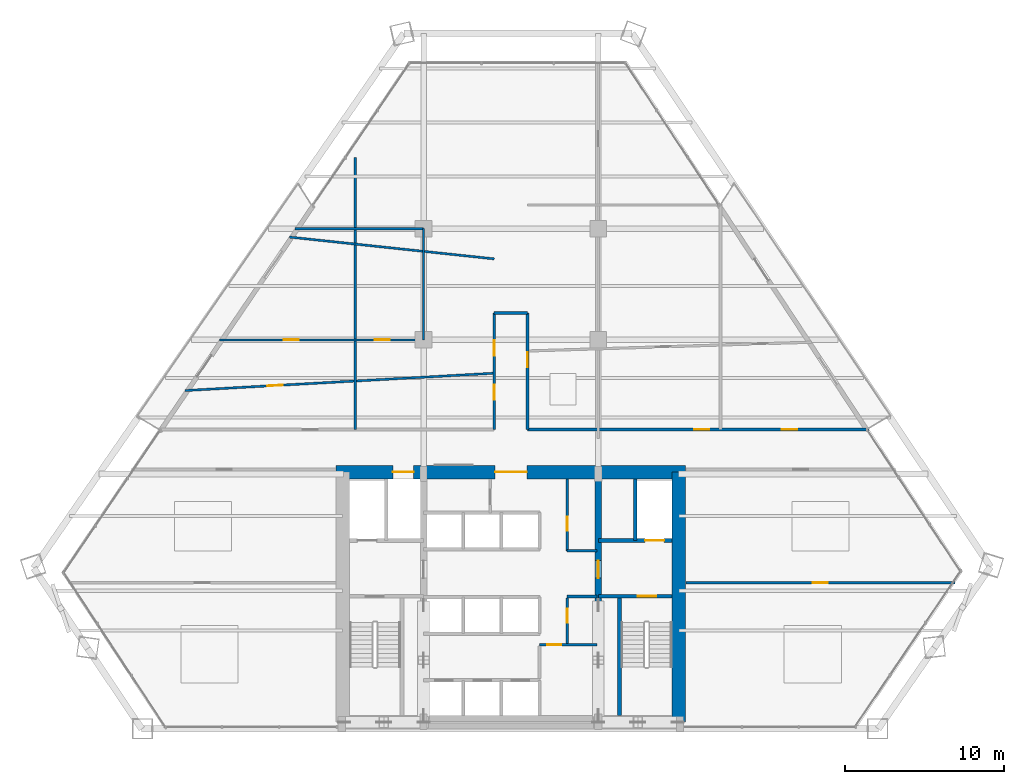
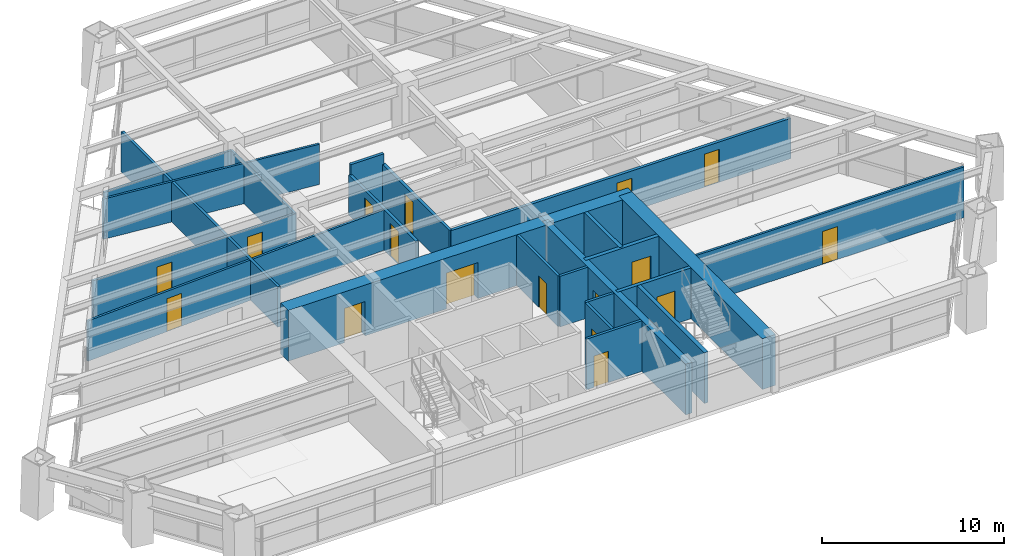
# One storey, part 11 of 14: 23 walls, 17 doors, 17 openings.
"""IFC4 building model written with IfcOpenShell, lengths in metres."""

from ifc_helpers import new_model, si_unit, direction, frame, frame_2d, origin, place, context, subcontext, project, spatial, rectangle, extrude, source, transform, mapped, material, layer, layer_set, type_object, type_shapes, element, fill, save


model = new_model("IFC4")

# Units and contexts
model_context = context("Model", 3, precision=1e-05, world=origin(), true_north=direction((0.0, 1.0)))
body_context = subcontext(model_context, "Body", "Model", "MODEL_VIEW")
ifc_project = project(units=[si_unit("LENGTHUNIT", "METRE"), si_unit("AREAUNIT", "SQUARE_METRE"), si_unit("VOLUMEUNIT", "CUBIC_METRE"), si_unit("PLANEANGLEUNIT", "RADIAN"), si_unit("MASSUNIT", "GRAM", prefix="KILO")], contexts=[model_context])

# Site, building, storey
site_placement = place(None, origin())
site = spatial("IfcSite", under=ifc_project, at=site_placement, CompositionType="ELEMENT")
building_placement = place(site_placement, origin())
building = spatial("IfcBuilding", under=site, at=building_placement, Name="Varnakhor Terracotta Tower", CompositionType="ELEMENT")
storey_placement = place(building_placement, frame((0.0, 0.0, 68.199951171875)))
storey = spatial("IfcBuildingStorey", under=building, at=storey_placement, Name="L16", CompositionType="ELEMENT", Elevation=68.199951171875)

# Wall, openings, doors
ifc_material_1 = material(Name="Concrete C60/75", Category="concrete")
ifc_layer_1 = layer(ifc_material_1, 0.85009765625, Name="Concrete C60/75")
ifc_layer_set_1 = layer_set([ifc_layer_1], Name="Concrete C60/75")
wall_type_1 = type_object("IfcWallType", Name="WAL-CORE-850", PredefinedType="SHEAR", material=ifc_layer_set_1)
wall_1_placement = place(storey_placement, frame((-11.0, 16.175048828125, 0.0), z_axis=(0.0, 0.0, 1.0), x_axis=(1.0, 0.0, 0.0)))
wall_1 = element("IfcWall", 1, at=wall_1_placement, inside=storey, type_object=wall_type_1, Name="L16 North Core Shear Wall", PredefinedType="SHEAR", context=body_context, shape_type="SweptSolid", body=[
    extrude(rectangle(XDim=22.0, YDim=0.85009765625, at=frame_2d((11.0, 0.0))), origin(), (0.0, 0.0, 1.0), 3.400146484375),
])
opening_1_placement = place(wall_1_placement, frame((3.570068359375, 0.0, 0.0)))
opening_1 = element("IfcOpeningElement", 2, at=opening_1_placement, cuts=wall_1, Name="Opening LD-03", PredefinedType="OPENING", context=body_context, shape_type="SweptSolid", body=[
    extrude(rectangle(XDim=1.300048828125, YDim=2.300048828125, at=frame_2d((0.64990234375, 1.14990234375))), frame((0.0, 0.43505859375, 0.0), z_axis=(0.0, -1.0, 0.0), x_axis=(1.0, 0.0, 0.0)), (0.0, 0.0, 1.0), 0.8701171875),
])
opening_2_placement = place(wall_1_placement, frame((10.0, 0.0, 0.0)))
opening_2 = element("IfcOpeningElement", 3, at=opening_2_placement, cuts=wall_1, Name="Opening DR-32", PredefinedType="OPENING", context=body_context, shape_type="SweptSolid", body=[
    extrude(rectangle(XDim=2.0, YDim=2.39990234375, at=frame_2d((1.0, 1.199951171875))), frame((0.0, 0.43505859375, 0.0), z_axis=(0.0, -1.0, 0.0), x_axis=(1.0, 0.0, 0.0)), (0.0, 0.0, 1.0), 0.8701171875),
])
ifc_material_2 = material(Name="Heavy-Duty Goods Sliding Lift Landing Door", Category="steel")
door_type_1 = type_object("IfcDoorType", Name="LD-SRV-1300X2300", OperationType="NOTDEFINED", PredefinedType="DOOR", material=ifc_material_2)
shared_shape_1 = source(origin(), body_context, "Body", "SweptSolid", [
    extrude(rectangle(XDim=1.300048828125, YDim=2.300048828125, at=frame_2d((0.64990234375, 1.14990234375))), frame((0.0, 0.02490234375, 0.0), z_axis=(0.0, -1.0, 0.0), x_axis=(1.0, 0.0, 0.0)), (0.0, 0.0, 1.0), 0.050048828125),
])
type_shapes(door_type_1, [shared_shape_1])
door_1_placement = place(opening_1_placement, origin())
door_1 = element("IfcDoor", 4, at=door_1_placement, inside=storey, type_object=door_type_1, Name="L16 Service Lift SVL-1 Landing Door", OperationType="SLIDING_TO_RIGHT", OverallHeight=2.300048828125, OverallWidth=1.300048828125, PredefinedType="DOOR", context=body_context, shape_type="MappedRepresentation", body=[
    mapped(shared_shape_1, transform((0.0, 0.0, 0.0), scale=1.0)),
])
fill(opening_1, door_1)
ifc_material_3 = material(Name="Acoustic Double Assembly Fire Door", Category="wood")
door_type_2 = type_object("IfcDoorType", Name="DR-HALL-2000X2400", OperationType="NOTDEFINED", PredefinedType="DOOR", material=ifc_material_3)
shared_shape_2 = source(origin(), body_context, "Body", "SweptSolid", [
    extrude(rectangle(XDim=2.0, YDim=2.39990234375, at=frame_2d((1.0, 1.199951171875))), frame((0.0, 0.02490234375, 0.0), z_axis=(0.0, -1.0, 0.0), x_axis=(1.0, 0.0, 0.0)), (0.0, 0.0, 1.0), 0.050048828125),
])
type_shapes(door_type_2, [shared_shape_2])
door_2_placement = place(opening_2_placement, origin())
door_2 = element("IfcDoor", 5, at=door_2_placement, inside=storey, type_object=door_type_2, Name="L16 Core Main Lobby Double Door", OperationType="DOUBLE_DOOR_SINGLE_SWING", OverallHeight=2.39990234375, OverallWidth=2.0, PredefinedType="DOOR", context=body_context, shape_type="MappedRepresentation", body=[
    mapped(shared_shape_2, transform((0.0, 0.0, 0.0), scale=1.0)),
])
fill(opening_2, door_2)

# Wall
wall_2_placement = place(storey_placement, frame((10.574951171875, 0.425048828125, 0.0), z_axis=(0.0, 0.0, 1.0), x_axis=(0.0, 1.0, 0.0)))
element("IfcWall", 6, at=wall_2_placement, inside=storey, type_object=wall_type_1, Name="L16 East Core Shear Wall", PredefinedType="SHEAR", context=body_context, shape_type="SweptSolid", body=[
    extrude(rectangle(XDim=15.75, YDim=0.85009765625, at=frame_2d((7.875, 0.0))), origin(), (0.0, 0.0, 1.0), 3.400146484375),
])

# Wall, opening, door
ifc_material_4 = material(Name="Concrete C50/60", Category="concrete")
ifc_layer_2 = layer(ifc_material_4, 0.39990234375, Name="Concrete C50/60")
ifc_layer_set_2 = layer_set([ifc_layer_2], Name="Concrete C50/60")
wall_type_2 = type_object("IfcWallType", Name="WAL-CORE-WEB-400", PredefinedType="SHEAR", material=ifc_layer_set_2)
wall_3_placement = place(storey_placement, frame((5.5, 0.425048828125, 0.0), z_axis=(0.0, 0.0, 1.0), x_axis=(0.0, 1.0, 0.0)))
wall_3 = element("IfcWall", 7, at=wall_3_placement, inside=storey, type_object=wall_type_2, Name="L16 East Core Web Shear Wall", PredefinedType="SHEAR", context=body_context, shape_type="SweptSolid", body=[
    extrude(rectangle(XDim=15.75, YDim=0.39990234375, at=frame_2d((7.875, 0.0))), origin(), (0.0, 0.0, 1.0), 3.400146484375),
])
opening_3_placement = place(wall_3_placement, frame((9.074951171875, 0.0, 0.0)))
opening_3 = element("IfcOpeningElement", 8, at=opening_3_placement, cuts=wall_3, Name="Opening DR-25", PredefinedType="OPENING", context=body_context, shape_type="SweptSolid", body=[
    extrude(rectangle(XDim=1.10009765625, YDim=2.199951171875, at=frame_2d((0.550048828125, 1.10009765625))), frame((0.0, 0.2099609375, 0.0), z_axis=(0.0, -1.0, 0.0), x_axis=(1.0, 0.0, 0.0)), (0.0, 0.0, 1.0), 0.419921875),
])
ifc_material_5 = material(Name="Firefighting Lobby Self-Closing Fire Door", Category="steel")
door_type_3 = type_object("IfcDoorType", Name="DR-FFL-1100X2200", OperationType="NOTDEFINED", PredefinedType="DOOR", material=ifc_material_5)
shared_shape_3 = source(origin(), body_context, "Body", "SweptSolid", [
    extrude(rectangle(XDim=1.10009765625, YDim=2.199951171875, at=frame_2d((0.550048828125, 1.10009765625))), frame((0.0, 0.02490234375, 0.0), z_axis=(0.0, -1.0, 0.0), x_axis=(1.0, 0.0, 0.0)), (0.0, 0.0, 1.0), 0.050048828125),
])
type_shapes(door_type_3, [shared_shape_3])
door_3_placement = place(opening_3_placement, origin())
door_3 = element("IfcDoor", 9, at=door_3_placement, inside=storey, type_object=door_type_3, Name="L16 East Firefighting Lobby Door", OperationType="SINGLE_SWING_RIGHT", OverallHeight=2.199951171875, OverallWidth=1.10009765625, PredefinedType="DOOR", context=body_context, shape_type="MappedRepresentation", body=[
    mapped(shared_shape_3, transform((0.0, 0.0, 0.0), scale=1.0)),
])
fill(opening_3, door_3)

# Wall, openings, doors
ifc_material_6 = material(Name="Fire-Rated Gypsum Stud Partition", Category="gypsum")
ifc_layer_3 = layer(ifc_material_6, 0.18505859375, Name="Fire-Rated Gypsum Stud Partition")
ifc_layer_set_3 = layer_set([ifc_layer_3], Name="Fire-Rated Gypsum Stud Partition")
wall_type_3 = type_object("IfcWallType", Name="WAL-CORR-185", PredefinedType="PARTITIONING", material=ifc_layer_set_3)
wall_4_placement = place(storey_placement, frame((1.050048828125, 18.85009765625, 0.0), z_axis=(0.0, 0.0, 1.0), x_axis=(1.0, 0.0, 0.0)))
wall_4 = element("IfcWall", 10, at=wall_4_placement, inside=storey, type_object=wall_type_3, Name="L16 Corridor North East Wall", PredefinedType="PARTITIONING", context=body_context, shape_type="SweptSolid", body=[
    extrude(rectangle(XDim=21.51123046875, YDim=0.18505859375, at=frame_2d((10.755615234375, 0.0))), origin(), (0.0, 0.0, 1.0), 2.697021484375),
])
opening_4_placement = place(wall_4_placement, frame((10.485107421875, 0.0, 0.0)))
opening_4 = element("IfcOpeningElement", 11, at=opening_4_placement, cuts=wall_4, Name="Opening DR-94", PredefinedType="OPENING", context=body_context, shape_type="SweptSolid", body=[
    extrude(rectangle(XDim=0.949951171875, YDim=2.199951171875, at=frame_2d((0.47509765625, 1.10009765625))), frame((0.0, 0.1025390625, 0.0), z_axis=(0.0, -1.0, 0.0), x_axis=(1.0, 0.0, 0.0)), (0.0, 0.0, 1.0), 0.205078125),
])
opening_5_placement = place(wall_4_placement, frame((16.016357421875, 0.0, 0.0)))
opening_5 = element("IfcOpeningElement", 12, at=opening_5_placement, cuts=wall_4, Name="Opening DR-94", PredefinedType="OPENING", context=body_context, shape_type="SweptSolid", body=[
    extrude(rectangle(XDim=0.949951171875, YDim=2.199951171875, at=frame_2d((0.47509765625, 1.10009765625))), frame((0.0, 0.1025390625, 0.0), z_axis=(0.0, -1.0, 0.0), x_axis=(1.0, 0.0, 0.0)), (0.0, 0.0, 1.0), 0.205078125),
])
ifc_material_7 = material(Name="Acoustic Glazed-Vision Timber Office Door", Category="wood")
door_type_4 = type_object("IfcDoorType", Name="DR-OFF-950X2200", OperationType="NOTDEFINED", PredefinedType="DOOR", material=ifc_material_7)
shared_shape_4 = source(origin(), body_context, "Body", "SweptSolid", [
    extrude(rectangle(XDim=0.949951171875, YDim=2.199951171875, at=frame_2d((0.47509765625, 1.10009765625))), frame((0.0, 0.02490234375, 0.0), z_axis=(0.0, -1.0, 0.0), x_axis=(1.0, 0.0, 0.0)), (0.0, 0.0, 1.0), 0.050048828125),
])
type_shapes(door_type_4, [shared_shape_4])
door_4_placement = place(opening_4_placement, origin())
door_4 = element("IfcDoor", 13, at=door_4_placement, inside=storey, type_object=door_type_4, Name="L16 East Workplace Door", OperationType="SINGLE_SWING_RIGHT", OverallHeight=2.199951171875, OverallWidth=0.949951171875, PredefinedType="DOOR", context=body_context, shape_type="MappedRepresentation", body=[
    mapped(shared_shape_4, transform((0.0, 0.0, 0.0), scale=1.0)),
])
fill(opening_4, door_4)
door_5_placement = place(opening_5_placement, origin())
door_5 = element("IfcDoor", 14, at=door_5_placement, inside=storey, type_object=door_type_4, Name="L16 Legal Chambers W1 Door", OperationType="SINGLE_SWING_LEFT", OverallHeight=2.199951171875, OverallWidth=0.949951171875, PredefinedType="DOOR", context=body_context, shape_type="MappedRepresentation", body=[
    mapped(shared_shape_4, transform((0.0, 0.0, 0.0), scale=1.0)),
])
fill(opening_5, door_5)

wall_5_placement = place(storey_placement, frame((-1.050048828125, 18.85009765625, 0.0), z_axis=(0.0, 0.0, 1.0), x_axis=(0.0, 1.0, 0.0)))
wall_5 = element("IfcWall", 15, at=wall_5_placement, inside=storey, type_object=wall_type_3, Name="L16 Spine West Wall", PredefinedType="PARTITIONING", context=body_context, shape_type="SweptSolid", body=[
    extrude(rectangle(XDim=7.349853515625, YDim=0.18505859375, at=frame_2d((3.6748046875, 0.0))), origin(), (0.0, 0.0, 1.0), 2.697021484375),
])
opening_6_placement = place(wall_5_placement, frame((1.865966796875, 0.0, 0.0)))
opening_6 = element("IfcOpeningElement", 16, at=opening_6_placement, cuts=wall_5, Name="Opening DR-94", PredefinedType="OPENING", context=body_context, shape_type="SweptSolid", body=[
    extrude(rectangle(XDim=0.949951171875, YDim=2.199951171875, at=frame_2d((0.47509765625, 1.10009765625))), frame((0.0, 0.1025390625, 0.0), z_axis=(0.0, -1.0, 0.0), x_axis=(1.0, 0.0, 0.0)), (0.0, 0.0, 1.0), 0.205078125),
])
opening_7_placement = place(wall_5_placement, frame((4.664794921875, 0.0, 0.0)))
opening_7 = element("IfcOpeningElement", 17, at=opening_7_placement, cuts=wall_5, Name="Opening DR-94", PredefinedType="OPENING", context=body_context, shape_type="SweptSolid", body=[
    extrude(rectangle(XDim=0.949951171875, YDim=2.199951171875, at=frame_2d((0.47509765625, 1.10009765625))), frame((0.0, 0.1025390625, 0.0), z_axis=(0.0, -1.0, 0.0), x_axis=(1.0, 0.0, 0.0)), (0.0, 0.0, 1.0), 0.205078125),
])
door_6_placement = place(opening_6_placement, origin())
door_6 = element("IfcDoor", 18, at=door_6_placement, inside=storey, type_object=door_type_4, Name="L16 Spine West Door", OperationType="SINGLE_SWING_LEFT", OverallHeight=2.199951171875, OverallWidth=0.949951171875, PredefinedType="DOOR", context=body_context, shape_type="MappedRepresentation", body=[
    mapped(shared_shape_4, transform((0.0, 0.0, 0.0), scale=1.0)),
])
fill(opening_6, door_6)
door_7_placement = place(opening_7_placement, origin())
door_7 = element("IfcDoor", 19, at=door_7_placement, inside=storey, type_object=door_type_4, Name="L16 Legal Chambers W2 Door", OperationType="SINGLE_SWING_RIGHT", OverallHeight=2.199951171875, OverallWidth=0.949951171875, PredefinedType="DOOR", context=body_context, shape_type="MappedRepresentation", body=[
    mapped(shared_shape_4, transform((0.0, 0.0, 0.0), scale=1.0)),
])
fill(opening_7, door_7)

# Wall, opening, door
wall_6_placement = place(storey_placement, frame((1.050048828125, 18.85009765625, 0.0), z_axis=(0.0, 0.0, 1.0), x_axis=(0.0, 1.0, 0.0)))
wall_6 = element("IfcWall", 20, at=wall_6_placement, inside=storey, type_object=wall_type_3, Name="L16 Spine East Wall", PredefinedType="PARTITIONING", context=body_context, shape_type="SweptSolid", body=[
    extrude(rectangle(XDim=7.349853515625, YDim=0.18505859375, at=frame_2d((3.6748046875, 0.0))), origin(), (0.0, 0.0, 1.0), 2.697021484375),
])
opening_8_placement = place(wall_6_placement, frame((3.919921875, 0.0, 0.0)))
opening_8 = element("IfcOpeningElement", 21, at=opening_8_placement, cuts=wall_6, Name="Opening DR-94", PredefinedType="OPENING", context=body_context, shape_type="SweptSolid", body=[
    extrude(rectangle(XDim=0.949951171875, YDim=2.199951171875, at=frame_2d((0.47509765625, 1.10009765625))), frame((0.0, 0.1025390625, 0.0), z_axis=(0.0, -1.0, 0.0), x_axis=(1.0, 0.0, 0.0)), (0.0, 0.0, 1.0), 0.205078125),
])
door_8_placement = place(opening_8_placement, origin())
door_8 = element("IfcDoor", 22, at=door_8_placement, inside=storey, type_object=door_type_4, Name="L16 Spine East Door", OperationType="SINGLE_SWING_RIGHT", OverallHeight=2.199951171875, OverallWidth=0.949951171875, PredefinedType="DOOR", context=body_context, shape_type="MappedRepresentation", body=[
    mapped(shared_shape_4, transform((0.0, 0.0, 0.0), scale=1.0)),
])
fill(opening_8, door_8)

# Wall
wall_7_placement = place(storey_placement, frame((-1.050048828125, 26.199951171875, 0.0), z_axis=(0.0, 0.0, 1.0), x_axis=(1.0, 0.0, 0.0)))
element("IfcWall", 23, at=wall_7_placement, inside=storey, type_object=wall_type_3, Name="L16 Spine North End Wall", PredefinedType="PARTITIONING", context=body_context, shape_type="SweptSolid", body=[
    extrude(rectangle(XDim=2.10009765625, YDim=0.18505859375, at=frame_2d((1.050048828125, 0.0))), origin(), (0.0, 0.0, 1.0), 3.39208984375),
])

# Wall, opening, door
ifc_material_8 = material(Name="Concrete C40/50", Category="concrete")
ifc_layer_4 = layer(ifc_material_8, 0.219970703125, Name="Concrete C40/50")
ifc_layer_set_4 = layer_set([ifc_layer_4], Name="Concrete C40/50")
wall_type_4 = type_object("IfcWallType", Name="WAL-FFLOBBY-220", PredefinedType="SOLIDWALL", material=ifc_layer_set_4)
wall_8_placement = place(storey_placement, frame((10.14990234375, 8.35009765625, 0.0), z_axis=(0.0, 0.0, 1.0), x_axis=(-1.0, 0.0, 0.0)))
wall_8 = element("IfcWall", 24, at=wall_8_placement, inside=storey, type_object=wall_type_4, Name="L16 East Firefighting Lobby Stair Wall", PredefinedType="SOLIDWALL", context=body_context, shape_type="SweptSolid", body=[
    extrude(rectangle(XDim=4.64990234375, YDim=0.219970703125, at=frame_2d((2.324951171875, 0.0))), origin(), (0.0, 0.0, 1.0), 3.400146484375),
])
opening_9_placement = place(wall_8_placement, frame((1.0, 0.0, 0.0)))
opening_9 = element("IfcOpeningElement", 25, at=opening_9_placement, cuts=wall_8, Name="Opening DR-34", PredefinedType="OPENING", context=body_context, shape_type="SweptSolid", body=[
    extrude(rectangle(XDim=1.14990234375, YDim=2.199951171875, at=frame_2d((0.574951171875, 1.10009765625))), frame((0.0, 0.1201171875, 0.0), z_axis=(0.0, -1.0, 0.0), x_axis=(1.0, 0.0, 0.0)), (0.0, 0.0, 1.0), 0.239990234375),
])
ifc_material_9 = material(Name="Self-Closing Smoke-Sealed Steel Fire Door", Category="steel")
door_type_5 = type_object("IfcDoorType", Name="DR-STAIR-1150X2200", OperationType="NOTDEFINED", PredefinedType="DOOR", material=ifc_material_9)
shared_shape_5 = source(origin(), body_context, "Body", "SweptSolid", [
    extrude(rectangle(XDim=1.14990234375, YDim=2.199951171875, at=frame_2d((0.574951171875, 1.10009765625))), frame((0.0, 0.02490234375, 0.0), z_axis=(0.0, -1.0, 0.0), x_axis=(1.0, 0.0, 0.0)), (0.0, 0.0, 1.0), 0.050048828125),
])
type_shapes(door_type_5, [shared_shape_5])
door_9_placement = place(opening_9_placement, origin())
door_9 = element("IfcDoor", 26, at=door_9_placement, inside=storey, type_object=door_type_5, Name="L16 Exit Stair ST-2 Fire Door", OperationType="SINGLE_SWING_LEFT", OverallHeight=2.199951171875, OverallWidth=1.14990234375, PredefinedType="DOOR", context=body_context, shape_type="MappedRepresentation", body=[
    mapped(shared_shape_5, transform((0.0, 0.0, 0.0), scale=1.0)),
])
fill(opening_9, door_9)

# Wall, openings, doors
ifc_material_10 = material(Name="Acoustic Metal-Stud Partition", Category="gypsum")
ifc_layer_5 = layer(ifc_material_10, 0.139892578125, Name="Acoustic Metal-Stud Partition")
ifc_layer_set_5 = layer_set([ifc_layer_5], Name="Acoustic Metal-Stud Partition")
wall_type_5 = type_object("IfcWallType", Name="WAL-PART-140", PredefinedType="PARTITIONING", material=ifc_layer_set_5)
wall_9_placement = place(storey_placement, frame((-18.347412109375, 24.5, 0.0), z_axis=(0.0, 0.0, 1.0), x_axis=(1.0, 0.0, 0.0)))
wall_9 = element("IfcWall", 27, at=wall_9_placement, inside=storey, type_object=wall_type_5, Name="L16 West Y24.5 Column Wall", PredefinedType="PARTITIONING", context=body_context, shape_type="SweptSolid", body=[
    extrude(rectangle(XDim=12.847412109375, YDim=0.139892578125, at=frame_2d((6.423828125, 0.0))), origin(), (0.0, 0.0, 1.0), 2.697021484375),
])
opening_10_placement = place(wall_9_placement, frame((4.049560546875, 0.0, 0.0)))
opening_10 = element("IfcOpeningElement", 28, at=opening_10_placement, cuts=wall_9, Name="Opening DR-94", PredefinedType="OPENING", context=body_context, shape_type="SweptSolid", body=[
    extrude(rectangle(XDim=0.949951171875, YDim=2.199951171875, at=frame_2d((0.47509765625, 1.10009765625))), frame((0.0, 0.080078125, 0.0), z_axis=(0.0, -1.0, 0.0), x_axis=(1.0, 0.0, 0.0)), (0.0, 0.0, 1.0), 0.159912109375),
])
opening_11_placement = place(wall_9_placement, frame((9.77294921875, 0.0, 0.0)))
opening_11 = element("IfcOpeningElement", 29, at=opening_11_placement, cuts=wall_9, Name="Opening DR-94", PredefinedType="OPENING", context=body_context, shape_type="SweptSolid", body=[
    extrude(rectangle(XDim=0.949951171875, YDim=2.199951171875, at=frame_2d((0.47509765625, 1.10009765625))), frame((0.0, 0.080078125, 0.0), z_axis=(0.0, -1.0, 0.0), x_axis=(1.0, 0.0, 0.0)), (0.0, 0.0, 1.0), 0.159912109375),
])
door_10_placement = place(opening_10_placement, origin())
door_10 = element("IfcDoor", 30, at=door_10_placement, inside=storey, type_object=door_type_4, Name="L16 Counsel Office E2 B13 Door", OperationType="SINGLE_SWING_RIGHT", OverallHeight=2.199951171875, OverallWidth=0.949951171875, PredefinedType="DOOR", context=body_context, shape_type="MappedRepresentation", body=[
    mapped(shared_shape_4, transform((0.0, 0.0, 0.0), scale=1.0)),
])
fill(opening_10, door_10)
door_11_placement = place(opening_11_placement, origin())
door_11 = element("IfcDoor", 31, at=door_11_placement, inside=storey, type_object=door_type_4, Name="L16 Tea Point B14 Door", OperationType="SINGLE_SWING_LEFT", OverallHeight=2.199951171875, OverallWidth=0.949951171875, PredefinedType="DOOR", context=body_context, shape_type="MappedRepresentation", body=[
    mapped(shared_shape_4, transform((0.0, 0.0, 0.0), scale=1.0)),
])
fill(opening_11, door_11)

# Walls
wall_10_placement = place(storey_placement, frame((-5.5, 24.5, 0.0), z_axis=(0.0, 0.0, 1.0), x_axis=(0.0, 1.0, 0.0)))
element("IfcWall", 32, at=wall_10_placement, inside=storey, type_object=wall_type_5, Name="L16 West Mid Link Wall", PredefinedType="PARTITIONING", context=body_context, shape_type="SweptSolid", body=[
    extrude(rectangle(XDim=7.0, YDim=0.139892578125, at=frame_2d((3.5, 0.0))), origin(), (0.0, 0.0, 1.0), 2.697021484375),
])
wall_11_placement = place(storey_placement, frame((-13.594482421875, 31.5, 0.0), z_axis=(0.0, 0.0, 1.0), x_axis=(1.0, 0.0, 0.0)))
element("IfcWall", 33, at=wall_11_placement, inside=storey, type_object=wall_type_5, Name="L16 West Y31.5 Column Wall", PredefinedType="PARTITIONING", context=body_context, shape_type="SweptSolid", body=[
    extrude(rectangle(XDim=8.094482421875, YDim=0.139892578125, at=frame_2d((4.04736328125, 0.0))), origin(), (0.0, 0.0, 1.0), 2.697021484375),
])

# Wall, opening, door
wall_12_placement = place(storey_placement, frame((-20.514892578125, 21.30810546875, 0.0), z_axis=(0.0, 0.0, 1.0), x_axis=(0.998430618399, 0.056002680683, 0.0)))
wall_12 = element("IfcWall", 34, at=wall_12_placement, inside=storey, type_object=wall_type_5, Name="L16 West Wing Cut 1", PredefinedType="PARTITIONING", context=body_context, shape_type="SweptSolid", body=[
    extrude(rectangle(XDim=19.495361328125, YDim=0.139892578125, at=frame_2d((9.74755859375, 0.0))), origin(), (0.0, 0.0, 1.0), 2.697021484375),
])
opening_12_placement = place(wall_12_placement, frame((5.19482421875, 0.0, 0.0)))
opening_12 = element("IfcOpeningElement", 35, at=opening_12_placement, cuts=wall_12, Name="Opening DR-94", PredefinedType="OPENING", context=body_context, shape_type="SweptSolid", body=[
    extrude(rectangle(XDim=0.949951171875, YDim=2.199951171875, at=frame_2d((0.47509765625, 1.10009765625))), frame((0.0, 0.080078125, 0.0), z_axis=(0.0, -1.0, 0.0), x_axis=(1.0, 0.0, 0.0)), (0.0, 0.0, 1.0), 0.159912109375),
])
door_12_placement = place(opening_12_placement, origin())
door_12 = element("IfcDoor", 36, at=door_12_placement, inside=storey, type_object=door_type_4, Name="L16 Law Library Reading Room Door", OperationType="SINGLE_SWING_RIGHT", OverallHeight=2.199951171875, OverallWidth=0.949951171875, PredefinedType="DOOR", context=body_context, shape_type="MappedRepresentation", body=[
    mapped(shared_shape_4, transform((0.0, 0.0, 0.0), scale=1.0)),
])
fill(opening_12, door_12)

# Wall
wall_13_placement = place(storey_placement, frame((-13.951171875, 30.974609375, 0.0), z_axis=(0.0, 0.0, 1.0), x_axis=(0.994372265015, -0.105942430446, 0.0)))
element("IfcWall", 37, at=wall_13_placement, inside=storey, type_object=wall_type_5, Name="L16 West Wing Cut 2", PredefinedType="PARTITIONING", context=body_context, shape_type="SweptSolid", body=[
    extrude(rectangle(XDim=12.97412109375, YDim=0.139892578125, at=frame_2d((6.487060546875, 0.0))), origin(), (0.0, 0.0, 1.0), 2.697021484375),
])

# Wall, opening, door
wall_14_placement = place(storey_placement, frame((11.02001953125, 9.199951171875, 0.0), z_axis=(0.0, 0.0, 1.0), x_axis=(1.0, 0.0, 0.0)))
wall_14 = element("IfcWall", 38, at=wall_14_placement, inside=storey, type_object=wall_type_5, Name="L16 South East Cut 1", PredefinedType="PARTITIONING", context=body_context, shape_type="SweptSolid", body=[
    extrude(rectangle(XDim=16.9326171875, YDim=0.139892578125, at=frame_2d((8.46630859375, 0.0))), origin(), (0.0, 0.0, 1.0), 3.39208984375),
])
opening_13_placement = place(wall_14_placement, frame((7.978759765625, 0.0, 0.0)))
opening_13 = element("IfcOpeningElement", 39, at=opening_13_placement, cuts=wall_14, Name="Opening DR-94", PredefinedType="OPENING", context=body_context, shape_type="SweptSolid", body=[
    extrude(rectangle(XDim=0.949951171875, YDim=2.199951171875, at=frame_2d((0.47509765625, 1.10009765625))), frame((0.0, 0.080078125, 0.0), z_axis=(0.0, -1.0, 0.0), x_axis=(1.0, 0.0, 0.0)), (0.0, 0.0, 1.0), 0.159912109375),
])
door_13_placement = place(opening_13_placement, origin())
door_13 = element("IfcDoor", 40, at=door_13_placement, inside=storey, type_object=door_type_4, Name="L16 South East Conference Room Door", OperationType="SINGLE_SWING_RIGHT", OverallHeight=2.199951171875, OverallWidth=0.949951171875, PredefinedType="DOOR", context=body_context, shape_type="MappedRepresentation", body=[
    mapped(shared_shape_4, transform((0.0, 0.0, 0.0), scale=1.0)),
])
fill(opening_13, door_13)

# Walls
ifc_layer_6 = layer(ifc_material_8, 0.219970703125, Name="Concrete C40/50")
ifc_layer_set_6 = layer_set([ifc_layer_6], Name="Concrete C40/50")
wall_type_6 = type_object("IfcWallType", Name="WAL-SHAFT-220", PredefinedType="SOLIDWALL", material=ifc_layer_set_6)
wall_15_placement = place(storey_placement, frame((7.840087890625, 11.8701171875, 0.0), z_axis=(0.0, 0.0, 1.0), x_axis=(0.0, 1.0, 0.0)))
element("IfcWall", 41, at=wall_15_placement, inside=storey, type_object=wall_type_6, Name="L16 Lift FFL-2 and Riser Divider Wall", PredefinedType="SOLIDWALL", context=body_context, shape_type="SweptSolid", body=[
    extrude(rectangle(XDim=3.8798828125, YDim=0.219970703125, at=frame_2d((1.93994140625, 0.0))), origin(), (0.0, 0.0, 1.0), 3.400146484375),
])
ifc_layer_7 = layer(ifc_material_8, 0.25, Name="Concrete C40/50")
ifc_layer_set_7 = layer_set([ifc_layer_7], Name="Concrete C40/50")
wall_type_7 = type_object("IfcWallType", Name="WAL-SHAFT-250", PredefinedType="SOLIDWALL", material=ifc_layer_set_7)
wall_16_placement = place(storey_placement, frame((6.85009765625, 0.85009765625, 0.0), z_axis=(0.0, 0.0, 1.0), x_axis=(0.0, 1.0, 0.0)))
element("IfcWall", 42, at=wall_16_placement, inside=storey, type_object=wall_type_7, Name="L16 Stair ST-2 Bearing Shaft Wall", PredefinedType="SOLIDWALL", context=body_context, shape_type="SweptSolid", body=[
    extrude(rectangle(XDim=7.5, YDim=0.25, at=frame_2d((3.75, 0.0))), origin(), (0.0, 0.0, 1.0), 3.400146484375),
])

# Wall, opening, door
wall_17_placement = place(storey_placement, frame((10.14990234375, 11.8701171875, 0.0), z_axis=(0.0, 0.0, 1.0), x_axis=(-1.0, 0.0, 0.0)))
wall_17 = element("IfcWall", 43, at=wall_17_placement, inside=storey, type_object=wall_type_7, Name="L16 Lift FFL-2 Shaft Front Wall", PredefinedType="SOLIDWALL", context=body_context, shape_type="SweptSolid", body=[
    extrude(rectangle(XDim=4.64990234375, YDim=0.25, at=frame_2d((2.324951171875, 0.0))), origin(), (0.0, 0.0, 1.0), 3.400146484375),
])
opening_14_placement = place(wall_17_placement, frame((0.5, 0.0, 0.0)))
opening_14 = element("IfcOpeningElement", 44, at=opening_14_placement, cuts=wall_17, Name="Opening LD-02", PredefinedType="OPENING", context=body_context, shape_type="SweptSolid", body=[
    extrude(rectangle(XDim=1.199951171875, YDim=2.25, at=frame_2d((0.60009765625, 1.125))), frame((0.0, 0.135009765625, 0.0), z_axis=(0.0, -1.0, 0.0), x_axis=(1.0, 0.0, 0.0)), (0.0, 0.0, 1.0), 0.27001953125),
])
ifc_material_11 = material(Name="Firefighting Stretcher Sliding Lift Landing Door", Category="steel")
door_type_6 = type_object("IfcDoorType", Name="LD-FFL-1200X2250", OperationType="NOTDEFINED", PredefinedType="DOOR", material=ifc_material_11)
shared_shape_6 = source(origin(), body_context, "Body", "SweptSolid", [
    extrude(rectangle(XDim=1.199951171875, YDim=2.25, at=frame_2d((0.60009765625, 1.125))), frame((0.0, 0.02490234375, 0.0), z_axis=(0.0, -1.0, 0.0), x_axis=(1.0, 0.0, 0.0)), (0.0, 0.0, 1.0), 0.050048828125),
])
type_shapes(door_type_6, [shared_shape_6])
door_14_placement = place(opening_14_placement, origin())
door_14 = element("IfcDoor", 45, at=door_14_placement, inside=storey, type_object=door_type_6, Name="L16 Firefighting Lift FFL-2 Landing Door", OperationType="SLIDING_TO_RIGHT", OverallHeight=2.25, OverallWidth=1.199951171875, PredefinedType="DOOR", context=body_context, shape_type="MappedRepresentation", body=[
    mapped(shared_shape_6, transform((0.0, 0.0, 0.0), scale=1.0)),
])
fill(opening_14, door_14)

ifc_material_12 = material(Name="Acoustic Fire-Rated Partition", Category="gypsum")
ifc_layer_8 = layer(ifc_material_12, 0.1650390625, Name="Acoustic Fire-Rated Partition")
ifc_layer_set_8 = layer_set([ifc_layer_8], Name="Acoustic Fire-Rated Partition")
wall_type_8 = type_object("IfcWallType", Name="WAL-TENANCY-165", PredefinedType="PARTITIONING", material=ifc_layer_set_8)
wall_18_placement = place(storey_placement, frame((3.5400390625, 5.382568359375, 0.0), z_axis=(0.0, 0.0, 1.0), x_axis=(0.0, 1.0, 0.0)))
wall_18 = element("IfcWall", 46, at=wall_18_placement, inside=storey, type_object=wall_type_8, Name="L16 Core Service Rated Wall", PredefinedType="PARTITIONING", context=body_context, shape_type="SweptSolid", body=[
    extrude(rectangle(XDim=2.875, YDim=0.1650390625, at=frame_2d((1.4375, 0.0))), origin(), (0.0, 0.0, 1.0), 3.39208984375),
])
opening_15_placement = place(wall_18_placement, frame((1.293701171875, 0.0, 0.0)))
opening_15 = element("IfcOpeningElement", 47, at=opening_15_placement, cuts=wall_18, Name="Opening DR-67", PredefinedType="OPENING", context=body_context, shape_type="SweptSolid", body=[
    extrude(rectangle(XDim=0.89990234375, YDim=2.10009765625, at=frame_2d((0.449951171875, 1.050048828125))), frame((0.0, 0.092529296875, 0.0), z_axis=(0.0, -1.0, 0.0), x_axis=(1.0, 0.0, 0.0)), (0.0, 0.0, 1.0), 0.18505859375),
])
ifc_material_13 = material(Name="Steel Service Riser Fire Door", Category="steel")
door_type_7 = type_object("IfcDoorType", Name="DR-RISER-900X2100", OperationType="NOTDEFINED", PredefinedType="DOOR", material=ifc_material_13)
shared_shape_7 = source(origin(), body_context, "Body", "SweptSolid", [
    extrude(rectangle(XDim=0.89990234375, YDim=2.10009765625, at=frame_2d((0.449951171875, 1.050048828125))), frame((0.0, 0.02490234375, 0.0), z_axis=(0.0, -1.0, 0.0), x_axis=(1.0, 0.0, 0.0)), (0.0, 0.0, 1.0), 0.050048828125),
])
type_shapes(door_type_7, [shared_shape_7])
door_15_placement = place(opening_15_placement, origin())
door_15 = element("IfcDoor", 48, at=door_15_placement, inside=storey, type_object=door_type_7, Name="L16 Core Accessible WC Door", OperationType="SINGLE_SWING_RIGHT", OverallHeight=2.10009765625, OverallWidth=0.89990234375, PredefinedType="DOOR", context=body_context, shape_type="MappedRepresentation", body=[
    mapped(shared_shape_7, transform((0.0, 0.0, 0.0), scale=1.0)),
])
fill(opening_15, door_15)

# Wall
wall_19_placement = place(storey_placement, frame((3.5400390625, 8.340087890625, 0.0), z_axis=(0.0, 0.0, 1.0), x_axis=(1.0, 0.0, 0.0)))
element("IfcWall", 49, at=wall_19_placement, inside=storey, type_object=wall_type_8, Name="L16 Accessible WC North Wall", PredefinedType="PARTITIONING", context=body_context, shape_type="SweptSolid", body=[
    extrude(rectangle(XDim=1.8798828125, YDim=0.1650390625, at=frame_2d((0.93994140625, 0.0))), origin(), (0.0, 0.0, 1.0), 3.39208984375),
])

# Wall, opening, door
wall_20_placement = place(storey_placement, frame((1.800048828125, 5.300048828125, 0.0), z_axis=(0.0, 0.0, 1.0), x_axis=(1.0, 0.0, 0.0)))
wall_20 = element("IfcWall", 50, at=wall_20_placement, inside=storey, type_object=wall_type_8, Name="L16 Core South Service Rated Wall", PredefinedType="PARTITIONING", context=body_context, shape_type="SweptSolid", body=[
    extrude(rectangle(XDim=3.619873046875, YDim=0.1650390625, at=frame_2d((1.81005859375, 0.0))), origin(), (0.0, 0.0, 1.0), 3.39208984375),
])
opening_16_placement = place(wall_20_placement, frame((0.47998046875, 0.0, 0.0)))
opening_16 = element("IfcOpeningElement", 51, at=opening_16_placement, cuts=wall_20, Name="Opening DR-67", PredefinedType="OPENING", context=body_context, shape_type="SweptSolid", body=[
    extrude(rectangle(XDim=0.89990234375, YDim=2.10009765625, at=frame_2d((0.449951171875, 1.050048828125))), frame((0.0, 0.092529296875, 0.0), z_axis=(0.0, -1.0, 0.0), x_axis=(1.0, 0.0, 0.0)), (0.0, 0.0, 1.0), 0.18505859375),
])
door_16_placement = place(opening_16_placement, origin())
door_16 = element("IfcDoor", 52, at=door_16_placement, inside=storey, type_object=door_type_7, Name="L16 Core IT Room Door", OperationType="SINGLE_SWING_LEFT", OverallHeight=2.10009765625, OverallWidth=0.89990234375, PredefinedType="DOOR", context=body_context, shape_type="MappedRepresentation", body=[
    mapped(shared_shape_7, transform((0.0, 0.0, 0.0), scale=1.0)),
])
fill(opening_16, door_16)

wall_21_placement = place(storey_placement, frame((3.5400390625, 11.219970703125, 0.0), z_axis=(0.0, 0.0, 1.0), x_axis=(0.0, 1.0, 0.0)))
wall_21 = element("IfcWall", 53, at=wall_21_placement, inside=storey, type_object=wall_type_8, Name="L16 Restroom Corridor Wall", PredefinedType="PARTITIONING", context=body_context, shape_type="SweptSolid", body=[
    extrude(rectangle(XDim=4.530029296875, YDim=0.1650390625, at=frame_2d((2.26513671875, 0.0))), origin(), (0.0, 0.0, 1.0), 3.39208984375),
])
opening_17_placement = place(wall_21_placement, frame((1.25, 0.0, 0.0)))
opening_17 = element("IfcOpeningElement", 54, at=opening_17_placement, cuts=wall_21, Name="Opening DR-67", PredefinedType="OPENING", context=body_context, shape_type="SweptSolid", body=[
    extrude(rectangle(XDim=0.89990234375, YDim=2.10009765625, at=frame_2d((0.449951171875, 1.050048828125))), frame((0.0, 0.092529296875, 0.0), z_axis=(0.0, -1.0, 0.0), x_axis=(1.0, 0.0, 0.0)), (0.0, 0.0, 1.0), 0.18505859375),
])
door_17_placement = place(opening_17_placement, origin())
door_17 = element("IfcDoor", 55, at=door_17_placement, inside=storey, type_object=door_type_7, Name="L16 Female WC Door", OperationType="SINGLE_SWING_RIGHT", OverallHeight=2.10009765625, OverallWidth=0.89990234375, PredefinedType="DOOR", context=body_context, shape_type="MappedRepresentation", body=[
    mapped(shared_shape_7, transform((0.0, 0.0, 0.0), scale=1.0)),
])
fill(opening_17, door_17)

# Walls
wall_22_placement = place(storey_placement, frame((3.5400390625, 11.219970703125, 0.0), z_axis=(0.0, 0.0, 1.0), x_axis=(1.0, 0.0, 0.0)))
element("IfcWall", 56, at=wall_22_placement, inside=storey, type_object=wall_type_8, Name="L16 Restroom South Wall", PredefinedType="PARTITIONING", context=body_context, shape_type="SweptSolid", body=[
    extrude(rectangle(XDim=1.8798828125, YDim=0.1650390625, at=frame_2d((0.93994140625, 0.0))), origin(), (0.0, 0.0, 1.0), 3.39208984375),
])
wall_23_placement = place(storey_placement, frame((-9.800048828125, 18.85009765625, 0.0), z_axis=(0.0, 0.0, 1.0), x_axis=(0.0, 1.0, 0.0)))
element("IfcWall", 57, at=wall_23_placement, inside=storey, type_object=wall_type_8, Name="L16 West Cellular Line", PredefinedType="PARTITIONING", context=body_context, shape_type="SweptSolid", body=[
    extrude(rectangle(XDim=17.14990234375, YDim=0.1650390625, at=frame_2d((8.574951171875, 0.0))), origin(), (0.0, 0.0, 1.0), 2.697021484375),
])

save(model, "model.ifc")
